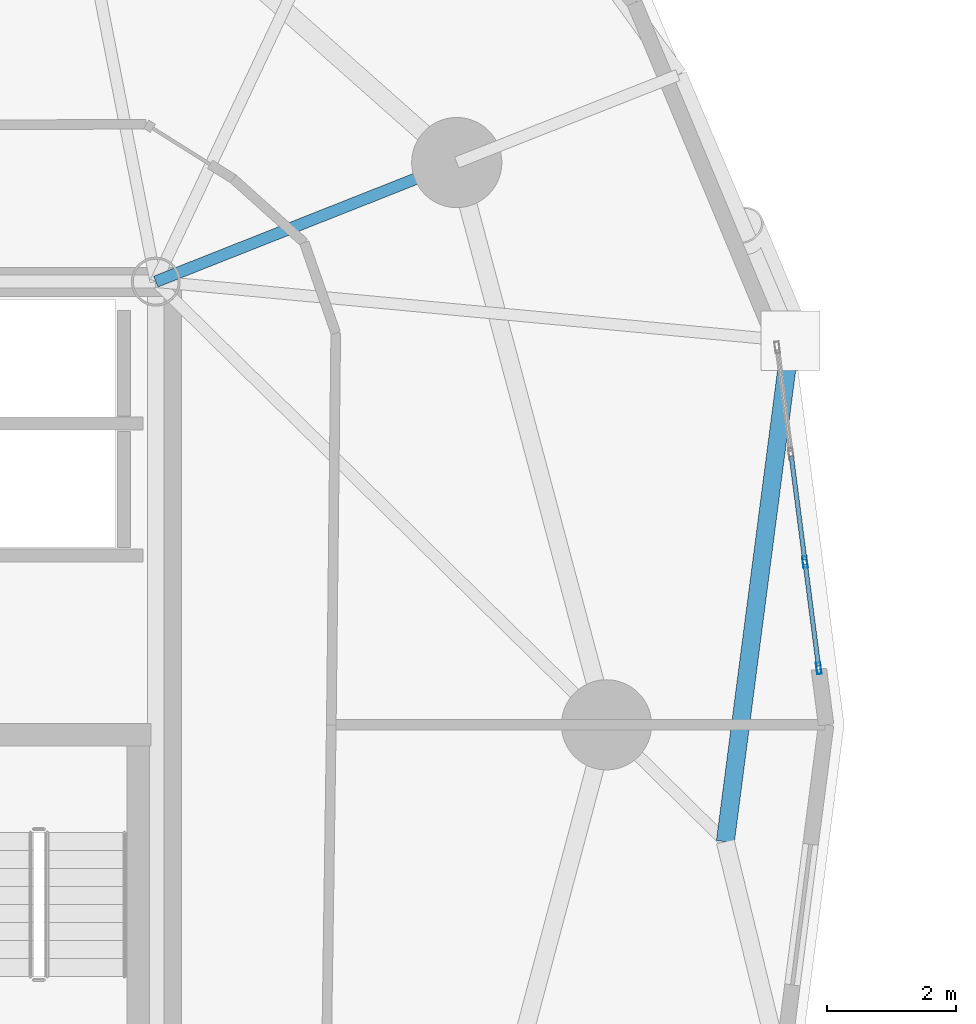
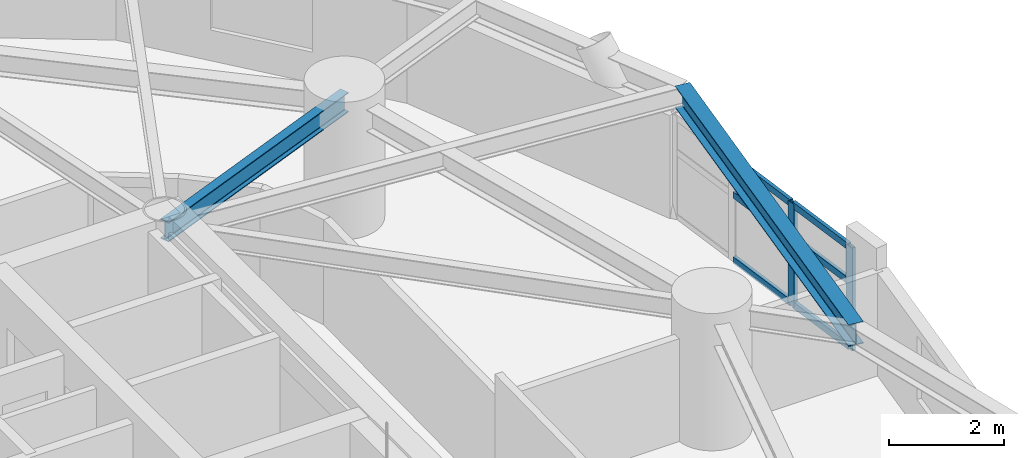
# One storey, part 2 of 18: 8 members, 2 beams, 1 element without a shape of its own.
"""IFC4 building model written with IfcOpenShell, lengths in metres."""

from ifc_helpers import new_model, si_unit, direction, frame, origin, origin_2d, place, context, subcontext, project, spatial, hollow_rectangle, i_section, extrude, material, layer, layer_set, material_profile, profile_set, type_object, element, aggregate, save


model = new_model("IFC4")

# Units and contexts
model_context = context("Model", 3, precision=1e-05, world=origin(), true_north=direction((0.0, 1.0)))
body_context = subcontext(model_context, "Body", "Model", "MODEL_VIEW")
ifc_project = project(units=[si_unit("LENGTHUNIT", "METRE"), si_unit("AREAUNIT", "SQUARE_METRE"), si_unit("VOLUMEUNIT", "CUBIC_METRE"), si_unit("PLANEANGLEUNIT", "RADIAN"), si_unit("MASSUNIT", "GRAM", prefix="KILO")], contexts=[model_context])

# Site, building, storey
site_placement = place(None, origin())
site = spatial("IfcSite", under=ifc_project, at=site_placement, CompositionType="ELEMENT")
building_placement = place(site_placement, origin())
building = spatial("IfcBuilding", under=site, at=building_placement, Name="Cununo Teusaquillo Station Towers", CompositionType="ELEMENT")
storey_placement = place(building_placement, frame((0.0, 0.0, 75.969970703125)))
storey = spatial("IfcBuildingStorey", under=building, at=storey_placement, Name="L23", CompositionType="ELEMENT", Elevation=75.969970703125)

# Beams
ifc_material_1 = material(Name="Steel ASTM A572 Grade 50", Category="steel")
ifc_material_profile_1 = material_profile(ifc_material_1, i_section(OverallWidth=0.180908203125, OverallDepth=0.4169921875, WebThickness=0.010986328125, FlangeThickness=0.018310546875, FilletRadius=0.012939453125, at=origin_2d()), Name="W16X57")
ifc_profile_set_1 = profile_set([ifc_material_profile_1], Name="Steel ASTM A572 Grade 50")
beam_type_1 = type_object("IfcBeamType", Name="BM-RAD-G2", PredefinedType="BEAM", material=ifc_profile_set_1)
beam_1_placement = place(storey_placement, frame((21.675048828125, 31.3798828125, 2.46142578125), z_axis=(0.929864104313, 0.367903176814, 0.0), x_axis=(-0.367903176814, 0.929864104313, 0.0)))
element("IfcBeam", 1, at=beam_1_placement, inside=storey, type_object=beam_type_1, Name="L23 Tower A Radial Girder 02A", PredefinedType="BEAM", context=body_context, shape_type="SweptSolid", body=[
    extrude(i_section(OverallWidth=0.180908203125, OverallDepth=0.4169921875, WebThickness=0.010986328125, FlangeThickness=0.018310546875, FilletRadius=0.012939453125, at=origin_2d()), origin(), (0.0, 0.0, 1.0), 5.02490234375),
])
ifc_material_2 = material(Name="Steel ASTM A572 Grade 50", Category="steel")
ifc_material_profile_2 = material_profile(ifc_material_2, i_section(OverallWidth=0.280029296875, OverallDepth=0.462890625, WebThickness=0.0107421875, FlangeThickness=0.017333984375, FilletRadius=0.013916015625, at=origin_2d()), Name="W18X76")
ifc_profile_set_2 = profile_set([ifc_material_profile_2], Name="Steel ASTM A572 Grade 50")
beam_type_2 = type_object("IfcBeamType", Name="BM-RING-Z2", PredefinedType="SPANDREL", material=ifc_profile_set_2)
beam_2_placement = place(storey_placement, frame((30.51708984375, 22.685791015625, 2.4384765625), z_axis=(0.12888124113, 0.991660035337, 0.0), x_axis=(-0.991660035337, 0.12888124113, 0.0)))
element("IfcBeam", 2, at=beam_2_placement, inside=storey, type_object=beam_type_2, Name="L23 Tower A Spandrel Ring Beam 01", PredefinedType="SPANDREL", context=body_context, shape_type="SweptSolid", body=[
    extrude(i_section(OverallWidth=0.280029296875, OverallDepth=0.462890625, WebThickness=0.0107421875, FlangeThickness=0.017333984375, FilletRadius=0.013916015625, at=origin_2d()), origin(), (0.0, 0.0, 1.0), 7.840576171875),
])

# Curtain wall, members
ifc_material_3 = material(Name="Ceramic-fritted dark low-E double glazing", Category="glass")
ifc_layer = layer(ifc_material_3, 0.179931640625)
ifc_layer_set = layer_set([ifc_layer], Name="Ceramic-fritted dark low-E double glazing")
curtain_wall_type = type_object("IfcCurtainWallType", Name="CW-SYS-04", PredefinedType="USERDEFINED", material=ifc_layer_set)
curtain_wall_placement = place(storey_placement, origin())
curtain_wall = element("IfcCurtainWall", 3, at=curtain_wall_placement, inside=storey, type_object=curtain_wall_type, Name="L23 Tower A Facade Curtain Wall C00", ObjectType="FRITTED GLAZING", PredefinedType="USERDEFINED")
ifc_material_4 = material(Name="Anodised dark bronze aluminium EN AW-6063-T6", Category="aluminium")
ifc_material_profile_3 = material_profile(ifc_material_4, hollow_rectangle(XDim=0.070068359375, YDim=0.179931640625, WallThickness=0.00390625, at=origin_2d()), Name="CW-MULL-70x180")
ifc_profile_set_3 = profile_set([ifc_material_profile_3], Name="Anodised dark bronze aluminium EN AW-6063-T6")
member_type_1 = type_object("IfcMemberType", Name="CWM-180", PredefinedType="MULLION", material=ifc_profile_set_3)
member_1_placement = place(storey_placement, frame((31.754150390625, 27.0263671875, 0.0), z_axis=(0.0, 0.0, 1.0), x_axis=(0.991730764367, 0.128335852387, 0.0)))
member_1 = element("IfcMember", 4, at=member_1_placement, type_object=member_type_1, Name="CW-04 mullion 3", PredefinedType="MULLION", context=body_context, shape_type="SweptSolid", body=[
    extrude(hollow_rectangle(XDim=0.070068359375, YDim=0.179931640625, WallThickness=0.00390625, at=origin_2d()), origin(), (0.0, 0.0, 1.0), 2.178955078125),
])
member_2_placement = place(storey_placement, frame((31.967529296875, 25.377685546875, 0.0), z_axis=(0.0, 0.0, 1.0), x_axis=(0.991730764367, 0.128335852387, 0.0)))
member_2 = element("IfcMember", 5, at=member_2_placement, type_object=member_type_1, Name="CW-04 mullion 4", PredefinedType="MULLION", context=body_context, shape_type="SweptSolid", body=[
    extrude(hollow_rectangle(XDim=0.070068359375, YDim=0.179931640625, WallThickness=0.00390625, at=origin_2d()), origin(), (0.0, 0.0, 1.0), 2.178955078125),
])
ifc_material_5 = material(Name="Anodised dark bronze aluminium EN AW-6063-T6", Category="aluminium")
ifc_material_profile_4 = material_profile(ifc_material_5, hollow_rectangle(XDim=0.070068359375, YDim=0.139892578125, WallThickness=0.00390625, at=origin_2d()), Name="CW-TRAN-70x140")
ifc_profile_set_4 = profile_set([ifc_material_profile_4], Name="Anodised dark bronze aluminium EN AW-6063-T6")
member_type_2 = type_object("IfcMemberType", Name="CWT-140", PredefinedType="USERDEFINED", material=ifc_profile_set_4)
member_3_placement = place(storey_placement, frame((31.540771484375, 28.675048828125, 0.034912109375), z_axis=(0.128261686134, -0.991740359101, 0.0), x_axis=(0.991740359101, 0.128261686134, 0.0)))
member_3 = element("IfcMember", 6, at=member_3_placement, type_object=member_type_2, Name="CW-04 transom 2.1", ObjectType="TRANSOM", PredefinedType="USERDEFINED", context=body_context, shape_type="SweptSolid", body=[
    extrude(hollow_rectangle(XDim=0.070068359375, YDim=0.139892578125, WallThickness=0.00390625, at=origin_2d()), origin(), (0.0, 0.0, 1.0), 1.62744140625),
])
member_4_placement = place(storey_placement, frame((31.540771484375, 28.675048828125, 1.416015625), z_axis=(0.128261686134, -0.991740359101, 0.0), x_axis=(0.991740359101, 0.128261686134, 0.0)))
member_4 = element("IfcMember", 7, at=member_4_placement, type_object=member_type_2, Name="CW-04 transom 2.2", ObjectType="TRANSOM", PredefinedType="USERDEFINED", context=body_context, shape_type="SweptSolid", body=[
    extrude(hollow_rectangle(XDim=0.070068359375, YDim=0.139892578125, WallThickness=0.00390625, at=origin_2d()), origin(), (0.0, 0.0, 1.0), 1.62744140625),
])
member_5_placement = place(storey_placement, frame((31.540771484375, 28.675048828125, 2.14404296875), z_axis=(0.128261686134, -0.991740359101, 0.0), x_axis=(0.991740359101, 0.128261686134, 0.0)))
member_5 = element("IfcMember", 8, at=member_5_placement, type_object=member_type_2, Name="CW-04 transom 2.3", ObjectType="TRANSOM", PredefinedType="USERDEFINED", context=body_context, shape_type="SweptSolid", body=[
    extrude(hollow_rectangle(XDim=0.070068359375, YDim=0.139892578125, WallThickness=0.00390625, at=origin_2d()), origin(), (0.0, 0.0, 1.0), 1.62744140625),
])
member_6_placement = place(storey_placement, frame((31.758544921875, 26.99169921875, 0.034912109375), z_axis=(0.128316698748, -0.991733242774, 0.0), x_axis=(0.991733242774, 0.128316698748, 0.0)))
member_6 = element("IfcMember", 9, at=member_6_placement, type_object=member_type_2, Name="CW-04 transom 3.1", ObjectType="TRANSOM", PredefinedType="USERDEFINED", context=body_context, shape_type="SweptSolid", body=[
    extrude(hollow_rectangle(XDim=0.070068359375, YDim=0.139892578125, WallThickness=0.00390625, at=origin_2d()), origin(), (0.0, 0.0, 1.0), 1.592529296875),
])
member_7_placement = place(storey_placement, frame((31.758544921875, 26.99169921875, 1.416015625), z_axis=(0.128316698748, -0.991733242774, 0.0), x_axis=(0.991733242774, 0.128316698748, 0.0)))
member_7 = element("IfcMember", 10, at=member_7_placement, type_object=member_type_2, Name="CW-04 transom 3.2", ObjectType="TRANSOM", PredefinedType="USERDEFINED", context=body_context, shape_type="SweptSolid", body=[
    extrude(hollow_rectangle(XDim=0.070068359375, YDim=0.139892578125, WallThickness=0.00390625, at=origin_2d()), origin(), (0.0, 0.0, 1.0), 1.592529296875),
])
member_8_placement = place(storey_placement, frame((31.758544921875, 26.99169921875, 2.14404296875), z_axis=(0.128316698748, -0.991733242774, 0.0), x_axis=(0.991733242774, 0.128316698748, 0.0)))
member_8 = element("IfcMember", 11, at=member_8_placement, type_object=member_type_2, Name="CW-04 transom 3.3", ObjectType="TRANSOM", PredefinedType="USERDEFINED", context=body_context, shape_type="SweptSolid", body=[
    extrude(hollow_rectangle(XDim=0.070068359375, YDim=0.139892578125, WallThickness=0.00390625, at=origin_2d()), origin(), (0.0, 0.0, 1.0), 1.592529296875),
])
aggregate(curtain_wall, [member_1, member_2, member_3, member_4, member_5, member_6, member_7, member_8])

save(model, "model.ifc")
